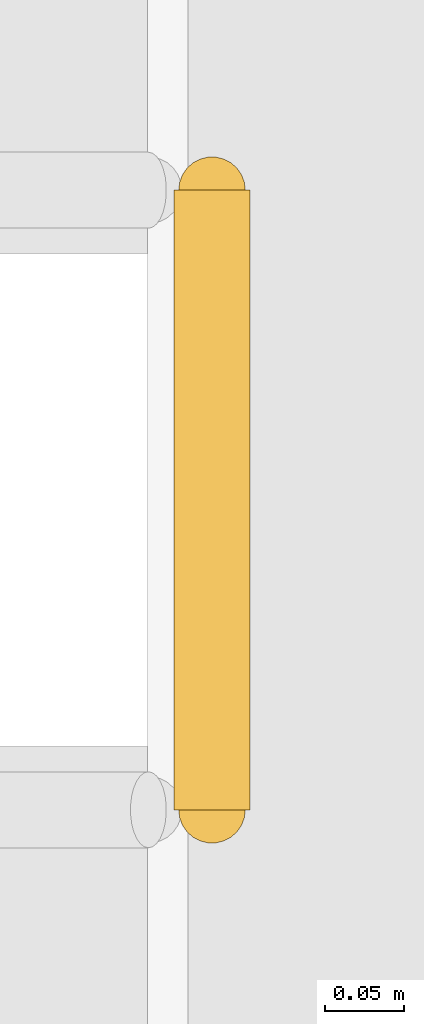
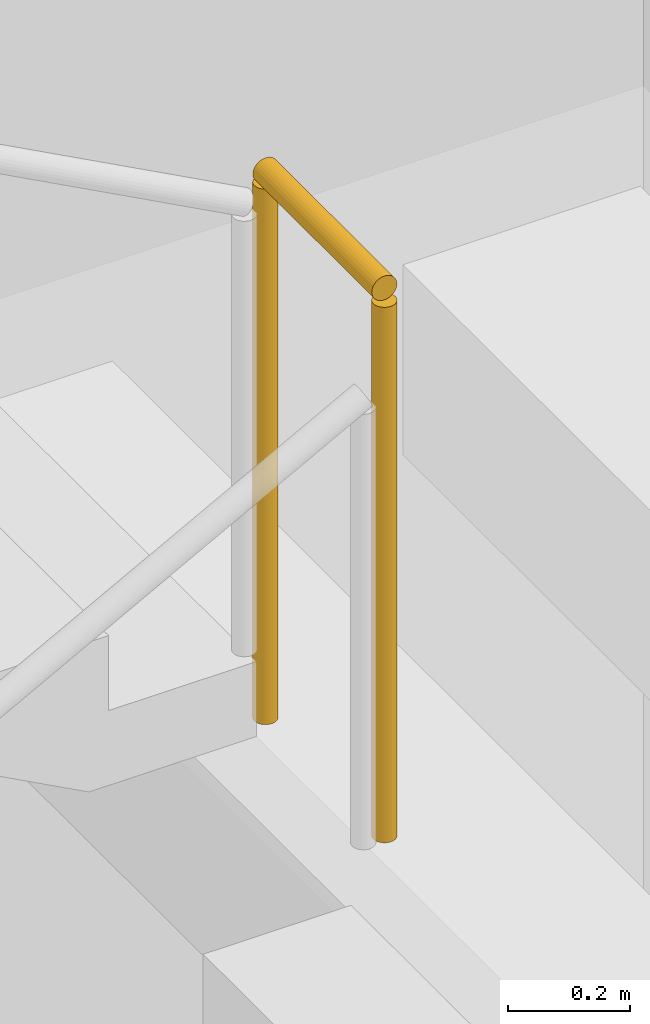
# One storey, part 67 of 77: 1 railing.
"""IFC4 building model written with IfcOpenShell, lengths in metres."""

from ifc_helpers import new_model, si_unit, direction, frame, origin, origin_2d, place, context, subcontext, project, spatial, circle, extrude, material, type_object, element, save


model = new_model("IFC4")

# Units and contexts
model_context = context("Model", 3, precision=1e-05, world=origin(), true_north=direction((0.0, 1.0)))
body_context = subcontext(model_context, "Body", "Model", "MODEL_VIEW")
ifc_project = project(units=[si_unit("LENGTHUNIT", "METRE"), si_unit("AREAUNIT", "SQUARE_METRE"), si_unit("VOLUMEUNIT", "CUBIC_METRE"), si_unit("PLANEANGLEUNIT", "RADIAN"), si_unit("MASSUNIT", "GRAM", prefix="KILO")], contexts=[model_context])

# Site, building, storey
site_placement = place(None, origin())
site = spatial("IfcSite", under=ifc_project, at=site_placement, CompositionType="ELEMENT")
building_placement = place(site_placement, origin())
building = spatial("IfcBuilding", under=site, at=building_placement, Name="Vardoun Plaza Health Centre", CompositionType="ELEMENT")
storey_placement = place(building_placement, origin())
storey = spatial("IfcBuildingStorey", under=building, at=storey_placement, Name="L00", CompositionType="ELEMENT", Elevation=0.0)

# Railing
ifc_material = material(Name="Painted Steel S275JR Stair-Well Guardrail", Category="steel")
railing_type = type_object("IfcRailingType", Name="GR-04", PredefinedType="GUARDRAIL", material=ifc_material)
railing_placement = place(storey_placement, frame((61.7099609375, 9.0048828125, 2.25)))
element("IfcRailing", 1, at=railing_placement, inside=storey, type_object=railing_type, Name="Stair ST-C6-L00 Mid-Landing Well Guard", PredefinedType="GUARDRAIL", context=body_context, shape_type="SweptSolid", body=[
    extrude(circle(Radius=0.02392578125, at=origin_2d()), frame((0.0, 0.0, 1.09619140625), z_axis=(0.0, 1.0, 0.0), x_axis=(-1.0, 0.0, 0.0)), (0.0, 0.0, 1.0), 0.39013671875),
    extrude(circle(Radius=0.02099609375, at=origin_2d()), origin(), (0.0, 0.0, 1.0), 1.072021484375),
    extrude(circle(Radius=0.02099609375, at=origin_2d()), frame((0.0, 0.39013671875, 0.0)), (0.0, 0.0, 1.0), 1.072021484375),
])

save(model, "model.ifc")
